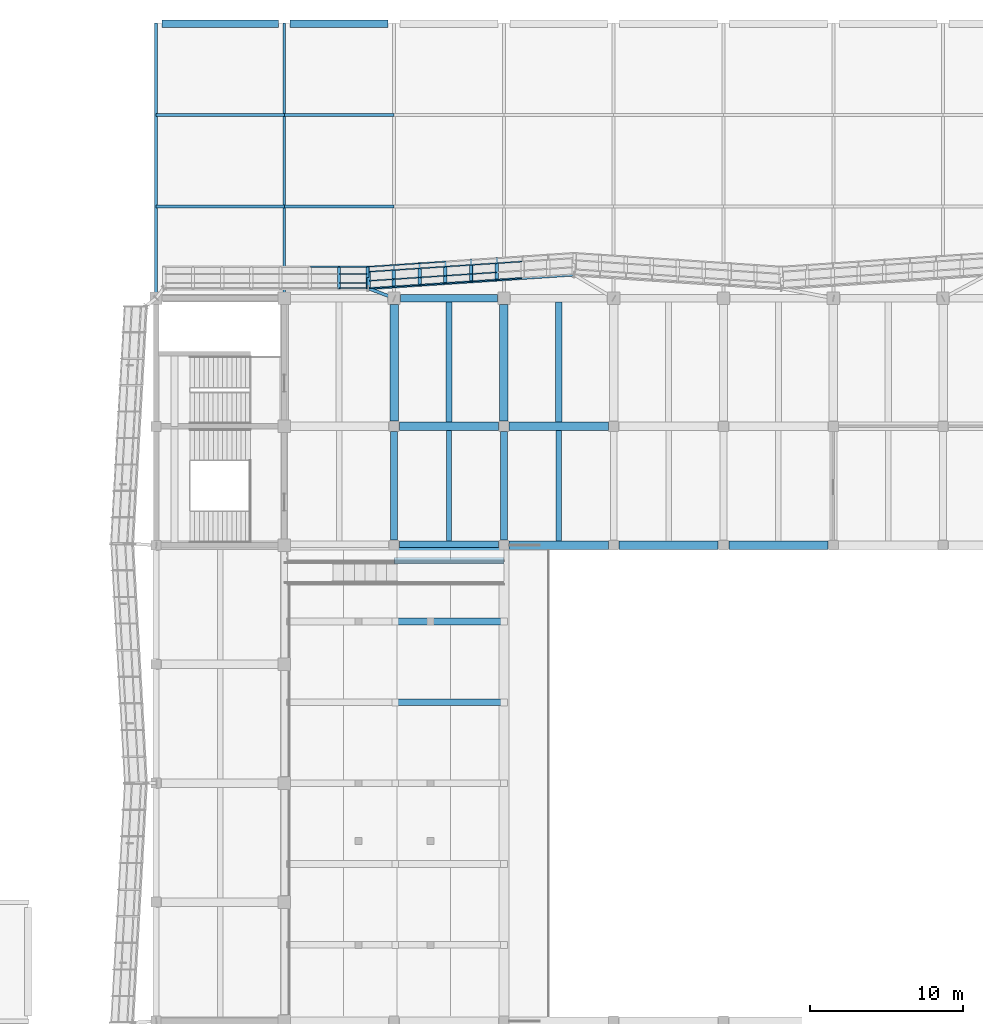
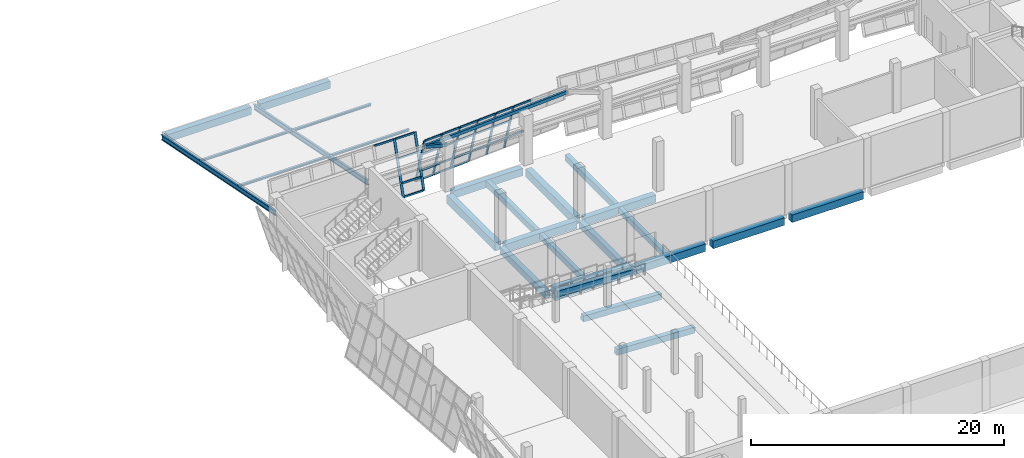
# One storey, part 26 of 79: 37 members, 25 beams, 2 elements without a shape of their own.
"""IFC4 building model written with IfcOpenShell, lengths in metres."""

from ifc_helpers import new_model, si_unit, direction, frame, origin, origin_2d, place, context, subcontext, project, spatial, rectangle, hollow_rectangle, i_section, extrude, material, material_profile, profile_set, type_object, element, aggregate, save


model = new_model("IFC4")

# Units and contexts
model_context = context("Model", 3, precision=1e-05, world=origin(), true_north=direction((0.0, 1.0)))
body_context = subcontext(model_context, "Body", "Model", "MODEL_VIEW")
ifc_project = project(units=[si_unit("LENGTHUNIT", "METRE"), si_unit("AREAUNIT", "SQUARE_METRE"), si_unit("VOLUMEUNIT", "CUBIC_METRE"), si_unit("PLANEANGLEUNIT", "RADIAN"), si_unit("MASSUNIT", "GRAM", prefix="KILO")], contexts=[model_context])

# Site, building, storey
site_placement = place(None, origin())
site = spatial("IfcSite", under=ifc_project, at=site_placement, CompositionType="ELEMENT")
building_placement = place(site_placement, origin())
building = spatial("IfcBuilding", under=site, at=building_placement, Name="Pellamere Symphony Hall", CompositionType="ELEMENT")
storey_placement = place(building_placement, frame((0.0, 0.0, 10.199951171875)))
storey = spatial("IfcBuildingStorey", under=building, at=storey_placement, Name="L02", CompositionType="ELEMENT", Elevation=10.199951171875)

# Curtain wall, members
ifc_material_1 = material(Name="Thermally Broken Anodised Aluminium 6063-T6 Curtain Wall", Category="aluminium")
curtain_wall_type = type_object("IfcCurtainWallType", Name="Curtain Wall CW-01 (Tilted Faceted Crystal Low-Iron Curtain Wall)", PredefinedType="NOTDEFINED", material=ifc_material_1)
curtain_wall_1_placement = place(storey_placement, origin())
curtain_wall_1 = element("IfcCurtainWall", 1, at=curtain_wall_1_placement, inside=storey, type_object=curtain_wall_type, Name="Crystal Faceted Curtain Wall CW-CR13 (L02)", PredefinedType="NOTDEFINED")
ifc_material_2 = material(Name="Anodised Architectural Aluminium 6063-T6", Category="aluminium")
ifc_material_profile_1 = material_profile(ifc_material_2, hollow_rectangle(XDim=0.074951171875, YDim=0.219970703125, WallThickness=0.0048828125, at=origin_2d()), Name="ALU-M75X220X5")
ifc_profile_set_1 = profile_set([ifc_material_profile_1], Name="Anodised Architectural Aluminium 6063-T6")
member_type_1 = type_object("IfcMemberType", Name="Curtain Wall Mullion ML-01 ALU-M75X220X5", PredefinedType="MULLION", material=ifc_profile_set_1)
member_1_placement = place(storey_placement, frame((72.737548828125, 96.234375, 0.0), z_axis=(0.0, -0.284021911736, 0.9588177896), x_axis=(0.066519010519, -0.956694159552, -0.283392848036)))
member_1 = element("IfcMember", 2, at=member_1_placement, type_object=member_type_1, Name="CW1-031 crystal mullion 4", PredefinedType="MULLION", context=body_context, shape_type="SweptSolid", body=[
    extrude(hollow_rectangle(XDim=0.074951171875, YDim=0.219970703125, WallThickness=0.0048828125, at=origin_2d()), origin(), (0.0, 0.0, 1.0), 5.006103515625),
])
member_2_placement = place(storey_placement, frame((71.050048828125, 96.121826171875, 0.0), z_axis=(0.0, -0.284021911736, 0.9588177896), x_axis=(0.066519010519, -0.956694159552, -0.283392848036)))
member_2 = element("IfcMember", 3, at=member_2_placement, type_object=member_type_1, Name="CW1-031 crystal mullion 5", PredefinedType="MULLION", context=body_context, shape_type="SweptSolid", body=[
    extrude(hollow_rectangle(XDim=0.074951171875, YDim=0.219970703125, WallThickness=0.0048828125, at=origin_2d()), origin(), (0.0, 0.0, 1.0), 5.006103515625),
])
member_3_placement = place(storey_placement, frame((69.362548828125, 96.00927734375, 0.0), z_axis=(0.0, -0.284021911736, 0.9588177896), x_axis=(0.066519010519, -0.956694159552, -0.283392848036)))
member_3 = element("IfcMember", 4, at=member_3_placement, type_object=member_type_1, Name="CW1-031 crystal mullion 6", PredefinedType="MULLION", context=body_context, shape_type="SweptSolid", body=[
    extrude(hollow_rectangle(XDim=0.074951171875, YDim=0.219970703125, WallThickness=0.0048828125, at=origin_2d()), origin(), (0.0, 0.0, 1.0), 5.006103515625),
])
member_4_placement = place(storey_placement, frame((67.675048828125, 95.896728515625, 0.0), z_axis=(0.0, -0.283977077304, 0.958831069358), x_axis=(0.066519010519, -0.956707409897, -0.283348112905)))
member_4 = element("IfcMember", 5, at=member_4_placement, type_object=member_type_1, Name="CW1-031 crystal mullion 7", PredefinedType="MULLION", context=body_context, shape_type="SweptSolid", body=[
    extrude(hollow_rectangle(XDim=0.074951171875, YDim=0.219970703125, WallThickness=0.0048828125, at=origin_2d()), origin(), (0.0, 0.0, 1.0), 5.006103515625),
])
member_5_placement = place(storey_placement, frame((65.987548828125, 95.7841796875, 0.0), z_axis=(0.0, -0.283977077304, 0.958831069358), x_axis=(0.066519010519, -0.956707409897, -0.283348112905)))
member_5 = element("IfcMember", 6, at=member_5_placement, type_object=member_type_1, Name="CW1-031 crystal mullion 8", PredefinedType="MULLION", context=body_context, shape_type="SweptSolid", body=[
    extrude(hollow_rectangle(XDim=0.074951171875, YDim=0.219970703125, WallThickness=0.0048828125, at=origin_2d()), origin(), (0.0, 0.0, 1.0), 5.006103515625),
])
member_6_placement = place(storey_placement, frame((64.33740234375, 95.67431640625, 0.0), z_axis=(0.0, -0.284021911736, 0.9588177896), x_axis=(0.066519010519, -0.956694159552, -0.283392848036)))
member_6 = element("IfcMember", 7, at=member_6_placement, type_object=member_type_1, Name="CW1-031 crystal mullion 9", PredefinedType="MULLION", context=body_context, shape_type="SweptSolid", body=[
    extrude(hollow_rectangle(XDim=0.074951171875, YDim=0.219970703125, WallThickness=0.0048828125, at=origin_2d()), origin(), (0.0, 0.0, 1.0), 5.006103515625),
])

curtain_wall_2_placement = place(storey_placement, origin())
curtain_wall_2 = element("IfcCurtainWall", 8, at=curtain_wall_2_placement, inside=storey, type_object=curtain_wall_type, Name="Crystal Faceted Curtain Wall CW-CR14 (L02)", PredefinedType="NOTDEFINED")
member_7_placement = place(storey_placement, frame((64.262451171875, 94.25, 0.0), z_axis=(0.0, 0.284021911736, 0.9588177896), x_axis=(0.0, 0.9588177896, -0.284021911736)))
member_7 = element("IfcMember", 9, at=member_7_placement, type_object=member_type_1, Name="CW1-034 crystal mullion 1", PredefinedType="MULLION", context=body_context, shape_type="SweptSolid", body=[
    extrude(hollow_rectangle(XDim=0.074951171875, YDim=0.219970703125, WallThickness=0.0048828125, at=origin_2d()), origin(), (0.0, 0.0, 1.0), 5.006103515625),
])
member_8_placement = place(storey_placement, frame((62.3857421875, 94.25, 0.0), z_axis=(0.0, 0.284021911736, 0.9588177896), x_axis=(0.0, 0.9588177896, -0.284021911736)))
member_8 = element("IfcMember", 10, at=member_8_placement, type_object=member_type_1, Name="CW1-034 crystal mullion 2", PredefinedType="MULLION", context=body_context, shape_type="SweptSolid", body=[
    extrude(hollow_rectangle(XDim=0.074951171875, YDim=0.219970703125, WallThickness=0.0048828125, at=origin_2d()), origin(), (0.0, 0.0, 1.0), 5.006103515625),
])

# Member
ifc_material_profile_2 = material_profile(ifc_material_2, hollow_rectangle(XDim=0.074951171875, YDim=0.179931640625, WallThickness=0.0048828125, at=origin_2d()), Name="ALU-T75X180X5")
ifc_profile_set_2 = profile_set([ifc_material_profile_2], Name="Anodised Architectural Aluminium 6063-T6")
member_type_2 = type_object("IfcMemberType", Name="Curtain Wall Transom TR-01 ALU-T75X180X5", PredefinedType="USERDEFINED", material=ifc_profile_set_2)
member_9_placement = place(storey_placement, frame((74.3876953125, 96.003173828125, 1.152099609375), z_axis=(-0.997779138857, -0.066609234065, 0.0), x_axis=(0.066609234065, -0.997779138857, 0.0)))
member_9 = element("IfcMember", 11, at=member_9_placement, type_object=member_type_2, Name="CW1-031 crystal transom 3.2", ObjectType="TRANSOM", PredefinedType="USERDEFINED", context=body_context, shape_type="SweptSolid", body=[
    extrude(hollow_rectangle(XDim=0.074951171875, YDim=0.179931640625, WallThickness=0.0048828125, at=origin_2d()), origin(), (0.0, 0.0, 1.0), 1.616455078125),
])

member_10_placement = place(storey_placement, frame((74.3876953125, 94.93310546875, 4.76416015625), z_axis=(-0.997789166031, -0.066458860589, 0.0), x_axis=(0.066458860589, -0.997789166031, 0.0)))
member_10 = element("IfcMember", 12, at=member_10_placement, type_object=member_type_2, Name="CW1-031 crystal transom 3.4", ObjectType="TRANSOM", PredefinedType="USERDEFINED", context=body_context, shape_type="SweptSolid", body=[
    extrude(hollow_rectangle(XDim=0.074951171875, YDim=0.179931640625, WallThickness=0.0048828125, at=origin_2d()), origin(), (0.0, 0.0, 1.0), 1.616455078125),
])

member_11_placement = place(storey_placement, frame((72.7001953125, 95.890625, 1.152099609375), z_axis=(-0.997779138857, -0.066609234065, 0.0), x_axis=(0.066609234065, -0.997779138857, 0.0)))
member_11 = element("IfcMember", 13, at=member_11_placement, type_object=member_type_2, Name="CW1-031 crystal transom 4.2", ObjectType="TRANSOM", PredefinedType="USERDEFINED", context=body_context, shape_type="SweptSolid", body=[
    extrude(hollow_rectangle(XDim=0.074951171875, YDim=0.179931640625, WallThickness=0.0048828125, at=origin_2d()), origin(), (0.0, 0.0, 1.0), 1.616455078125),
])

member_12_placement = place(storey_placement, frame((72.7001953125, 95.29345703125, 3.16796875), z_axis=(-0.997779138857, -0.066609234065, 0.0), x_axis=(0.066609234065, -0.997779138857, 0.0)))
member_12 = element("IfcMember", 14, at=member_12_placement, type_object=member_type_2, Name="CW1-031 crystal transom 4.3", ObjectType="TRANSOM", PredefinedType="USERDEFINED", context=body_context, shape_type="SweptSolid", body=[
    extrude(hollow_rectangle(XDim=0.074951171875, YDim=0.179931640625, WallThickness=0.0048828125, at=origin_2d()), origin(), (0.0, 0.0, 1.0), 1.616455078125),
])

member_13_placement = place(storey_placement, frame((72.7001953125, 94.820556640625, 4.76416015625), z_axis=(-0.997789166031, -0.066458860589, 0.0), x_axis=(0.066458860589, -0.997789166031, 0.0)))
member_13 = element("IfcMember", 15, at=member_13_placement, type_object=member_type_2, Name="CW1-031 crystal transom 4.4", ObjectType="TRANSOM", PredefinedType="USERDEFINED", context=body_context, shape_type="SweptSolid", body=[
    extrude(hollow_rectangle(XDim=0.074951171875, YDim=0.179931640625, WallThickness=0.0048828125, at=origin_2d()), origin(), (0.0, 0.0, 1.0), 1.616455078125),
])

member_14_placement = place(storey_placement, frame((71.0126953125, 95.778076171875, 1.152099609375), z_axis=(-0.997789166031, -0.066458860589, 0.0), x_axis=(0.066458860589, -0.997789166031, 0.0)))
member_14 = element("IfcMember", 16, at=member_14_placement, type_object=member_type_2, Name="CW1-031 crystal transom 5.2", ObjectType="TRANSOM", PredefinedType="USERDEFINED", context=body_context, shape_type="SweptSolid", body=[
    extrude(hollow_rectangle(XDim=0.074951171875, YDim=0.179931640625, WallThickness=0.0048828125, at=origin_2d()), origin(), (0.0, 0.0, 1.0), 1.616455078125),
])

member_15_placement = place(storey_placement, frame((71.0126953125, 95.180908203125, 3.16796875), z_axis=(-0.997789166031, -0.066458860589, 0.0), x_axis=(0.066458860589, -0.997789166031, 0.0)))
member_15 = element("IfcMember", 17, at=member_15_placement, type_object=member_type_2, Name="CW1-031 crystal transom 5.3", ObjectType="TRANSOM", PredefinedType="USERDEFINED", context=body_context, shape_type="SweptSolid", body=[
    extrude(hollow_rectangle(XDim=0.074951171875, YDim=0.179931640625, WallThickness=0.0048828125, at=origin_2d()), origin(), (0.0, 0.0, 1.0), 1.616455078125),
])

member_16_placement = place(storey_placement, frame((71.0126953125, 94.708251953125, 4.76416015625), z_axis=(-0.997779138857, -0.066609234065, 0.0), x_axis=(0.066609234065, -0.997779138857, 0.0)))
member_16 = element("IfcMember", 18, at=member_16_placement, type_object=member_type_2, Name="CW1-031 crystal transom 5.4", ObjectType="TRANSOM", PredefinedType="USERDEFINED", context=body_context, shape_type="SweptSolid", body=[
    extrude(hollow_rectangle(XDim=0.074951171875, YDim=0.179931640625, WallThickness=0.0048828125, at=origin_2d()), origin(), (0.0, 0.0, 1.0), 1.616455078125),
])

member_17_placement = place(storey_placement, frame((69.3251953125, 95.99609375, 0.035888671875), z_axis=(-0.997789166031, -0.066458860589, 0.0), x_axis=(0.066458860589, -0.997789166031, 0.0)))
member_17 = element("IfcMember", 19, at=member_17_placement, type_object=member_type_2, Name="CW1-031 crystal transom 6.1", ObjectType="TRANSOM", PredefinedType="USERDEFINED", context=body_context, shape_type="SweptSolid", body=[
    extrude(hollow_rectangle(XDim=0.074951171875, YDim=0.179931640625, WallThickness=0.0048828125, at=origin_2d()), origin(), (0.0, 0.0, 1.0), 1.616455078125),
])

member_18_placement = place(storey_placement, frame((69.3251953125, 95.66552734375, 1.152099609375), z_axis=(-0.997789166031, -0.066458860589, 0.0), x_axis=(0.066458860589, -0.997789166031, 0.0)))
member_18 = element("IfcMember", 20, at=member_18_placement, type_object=member_type_2, Name="CW1-031 crystal transom 6.2", ObjectType="TRANSOM", PredefinedType="USERDEFINED", context=body_context, shape_type="SweptSolid", body=[
    extrude(hollow_rectangle(XDim=0.074951171875, YDim=0.179931640625, WallThickness=0.0048828125, at=origin_2d()), origin(), (0.0, 0.0, 1.0), 1.616455078125),
])

member_19_placement = place(storey_placement, frame((69.3251953125, 95.068359375, 3.16796875), z_axis=(-0.997789166031, -0.066458860589, 0.0), x_axis=(0.066458860589, -0.997789166031, 0.0)))
member_19 = element("IfcMember", 21, at=member_19_placement, type_object=member_type_2, Name="CW1-031 crystal transom 6.3", ObjectType="TRANSOM", PredefinedType="USERDEFINED", context=body_context, shape_type="SweptSolid", body=[
    extrude(hollow_rectangle(XDim=0.074951171875, YDim=0.179931640625, WallThickness=0.0048828125, at=origin_2d()), origin(), (0.0, 0.0, 1.0), 1.616455078125),
])

member_20_placement = place(storey_placement, frame((69.3251953125, 94.595703125, 4.76416015625), z_axis=(-0.997779138857, -0.066609234065, 0.0), x_axis=(0.066609234065, -0.997779138857, 0.0)))
member_20 = element("IfcMember", 22, at=member_20_placement, type_object=member_type_2, Name="CW1-031 crystal transom 6.4", ObjectType="TRANSOM", PredefinedType="USERDEFINED", context=body_context, shape_type="SweptSolid", body=[
    extrude(hollow_rectangle(XDim=0.074951171875, YDim=0.179931640625, WallThickness=0.0048828125, at=origin_2d()), origin(), (0.0, 0.0, 1.0), 1.616455078125),
])

member_21_placement = place(storey_placement, frame((67.6376953125, 95.883544921875, 0.035888671875), z_axis=(-0.997789166031, -0.066458860589, 0.0), x_axis=(0.066458860589, -0.997789166031, 0.0)))
member_21 = element("IfcMember", 23, at=member_21_placement, type_object=member_type_2, Name="CW1-031 crystal transom 7.1", ObjectType="TRANSOM", PredefinedType="USERDEFINED", context=body_context, shape_type="SweptSolid", body=[
    extrude(hollow_rectangle(XDim=0.074951171875, YDim=0.179931640625, WallThickness=0.0048828125, at=origin_2d()), origin(), (0.0, 0.0, 1.0), 1.616455078125),
])

member_22_placement = place(storey_placement, frame((67.6376953125, 95.552978515625, 1.152099609375), z_axis=(-0.997789166031, -0.066458860589, 0.0), x_axis=(0.066458860589, -0.997789166031, 0.0)))
member_22 = element("IfcMember", 24, at=member_22_placement, type_object=member_type_2, Name="CW1-031 crystal transom 7.2", ObjectType="TRANSOM", PredefinedType="USERDEFINED", context=body_context, shape_type="SweptSolid", body=[
    extrude(hollow_rectangle(XDim=0.074951171875, YDim=0.179931640625, WallThickness=0.0048828125, at=origin_2d()), origin(), (0.0, 0.0, 1.0), 1.616455078125),
])

member_23_placement = place(storey_placement, frame((67.6376953125, 94.955810546875, 3.16796875), z_axis=(-0.997789166031, -0.066458860589, 0.0), x_axis=(0.066458860589, -0.997789166031, 0.0)))
member_23 = element("IfcMember", 25, at=member_23_placement, type_object=member_type_2, Name="CW1-031 crystal transom 7.3", ObjectType="TRANSOM", PredefinedType="USERDEFINED", context=body_context, shape_type="SweptSolid", body=[
    extrude(hollow_rectangle(XDim=0.074951171875, YDim=0.179931640625, WallThickness=0.0048828125, at=origin_2d()), origin(), (0.0, 0.0, 1.0), 1.616455078125),
])

member_24_placement = place(storey_placement, frame((67.6376953125, 94.483154296875, 4.76416015625), z_axis=(-0.997789166031, -0.066458860589, 0.0), x_axis=(0.066458860589, -0.997789166031, 0.0)))
member_24 = element("IfcMember", 26, at=member_24_placement, type_object=member_type_2, Name="CW1-031 crystal transom 7.4", ObjectType="TRANSOM", PredefinedType="USERDEFINED", context=body_context, shape_type="SweptSolid", body=[
    extrude(hollow_rectangle(XDim=0.074951171875, YDim=0.179931640625, WallThickness=0.0048828125, at=origin_2d()), origin(), (0.0, 0.0, 1.0), 1.616455078125),
])

member_25_placement = place(storey_placement, frame((65.9501953125, 95.771240234375, 0.035888671875), z_axis=(-0.99778720991, -0.066488222573, 0.0), x_axis=(0.066488222573, -0.99778720991, 0.0)))
member_25 = element("IfcMember", 27, at=member_25_placement, type_object=member_type_2, Name="CW1-031 crystal transom 8.1", ObjectType="TRANSOM", PredefinedType="USERDEFINED", context=body_context, shape_type="SweptSolid", body=[
    extrude(hollow_rectangle(XDim=0.074951171875, YDim=0.179931640625, WallThickness=0.0048828125, at=origin_2d()), origin(), (0.0, 0.0, 1.0), 1.578857421875),
])

member_26_placement = place(storey_placement, frame((65.9501953125, 95.440673828125, 1.152099609375), z_axis=(-0.997776940229, -0.066642160428, 0.0), x_axis=(0.066642160428, -0.997776940229, 0.0)))
member_26 = element("IfcMember", 28, at=member_26_placement, type_object=member_type_2, Name="CW1-031 crystal transom 8.2", ObjectType="TRANSOM", PredefinedType="USERDEFINED", context=body_context, shape_type="SweptSolid", body=[
    extrude(hollow_rectangle(XDim=0.074951171875, YDim=0.179931640625, WallThickness=0.0048828125, at=origin_2d()), origin(), (0.0, 0.0, 1.0), 1.578857421875),
])

member_27_placement = place(storey_placement, frame((65.9501953125, 94.843505859375, 3.16796875), z_axis=(-0.997776940229, -0.066642160428, 0.0), x_axis=(0.066642160428, -0.997776940229, 0.0)))
member_27 = element("IfcMember", 29, at=member_27_placement, type_object=member_type_2, Name="CW1-031 crystal transom 8.3", ObjectType="TRANSOM", PredefinedType="USERDEFINED", context=body_context, shape_type="SweptSolid", body=[
    extrude(hollow_rectangle(XDim=0.074951171875, YDim=0.179931640625, WallThickness=0.0048828125, at=origin_2d()), origin(), (0.0, 0.0, 1.0), 1.578857421875),
])

member_28_placement = place(storey_placement, frame((65.9501953125, 94.37060546875, 4.76416015625), z_axis=(-0.99778720991, -0.066488222573, 0.0), x_axis=(0.066488222573, -0.99778720991, 0.0)))
member_28 = element("IfcMember", 30, at=member_28_placement, type_object=member_type_2, Name="CW1-031 crystal transom 8.4", ObjectType="TRANSOM", PredefinedType="USERDEFINED", context=body_context, shape_type="SweptSolid", body=[
    extrude(hollow_rectangle(XDim=0.074951171875, YDim=0.179931640625, WallThickness=0.0048828125, at=origin_2d()), origin(), (0.0, 0.0, 1.0), 1.578857421875),
])

aggregate(curtain_wall_1, [member_1, member_2, member_3, member_4, member_5, member_6, member_9, member_10, member_11, member_12, member_13, member_14, member_15, member_16, member_17, member_18, member_19, member_20, member_21, member_22, member_23, member_24, member_25, member_26, member_27, member_28])

member_29_placement = place(storey_placement, frame((64.22509765625, 94.2607421875, 0.035888671875), z_axis=(-1.0, 0.0, 0.0), x_axis=(0.0, -1.0, 0.0)))
member_29 = element("IfcMember", 31, at=member_29_placement, type_object=member_type_2, Name="CW1-034 crystal transom 1.1", ObjectType="TRANSOM", PredefinedType="USERDEFINED", context=body_context, shape_type="SweptSolid", body=[
    extrude(hollow_rectangle(XDim=0.074951171875, YDim=0.179931640625, WallThickness=0.0048828125, at=origin_2d()), origin(), (0.0, 0.0, 1.0), 1.802001953125),
])

member_30_placement = place(storey_placement, frame((64.22509765625, 94.59130859375, 1.152099609375), z_axis=(-1.0, 0.0, 0.0), x_axis=(0.0, -1.0, 0.0)))
member_30 = element("IfcMember", 32, at=member_30_placement, type_object=member_type_2, Name="CW1-034 crystal transom 1.2", ObjectType="TRANSOM", PredefinedType="USERDEFINED", context=body_context, shape_type="SweptSolid", body=[
    extrude(hollow_rectangle(XDim=0.074951171875, YDim=0.179931640625, WallThickness=0.0048828125, at=origin_2d()), origin(), (0.0, 0.0, 1.0), 1.802001953125),
])

member_31_placement = place(storey_placement, frame((64.22509765625, 95.1884765625, 3.16796875), z_axis=(-1.0, 0.0, 0.0), x_axis=(0.0, -1.0, 0.0)))
member_31 = element("IfcMember", 33, at=member_31_placement, type_object=member_type_2, Name="CW1-034 crystal transom 1.3", ObjectType="TRANSOM", PredefinedType="USERDEFINED", context=body_context, shape_type="SweptSolid", body=[
    extrude(hollow_rectangle(XDim=0.074951171875, YDim=0.179931640625, WallThickness=0.0048828125, at=origin_2d()), origin(), (0.0, 0.0, 1.0), 1.802001953125),
])

member_32_placement = place(storey_placement, frame((64.22509765625, 95.6611328125, 4.76416015625), z_axis=(-1.0, 0.0, 0.0), x_axis=(0.0, -1.0, 0.0)))
member_32 = element("IfcMember", 34, at=member_32_placement, type_object=member_type_2, Name="CW1-034 crystal transom 1.4", ObjectType="TRANSOM", PredefinedType="USERDEFINED", context=body_context, shape_type="SweptSolid", body=[
    extrude(hollow_rectangle(XDim=0.074951171875, YDim=0.179931640625, WallThickness=0.0048828125, at=origin_2d()), origin(), (0.0, 0.0, 1.0), 1.802001953125),
])

member_33_placement = place(storey_placement, frame((62.34814453125, 95.6611328125, 4.76416015625), z_axis=(-1.0, 0.0, 0.0), x_axis=(0.0, -1.0, 0.0)))
member_33 = element("IfcMember", 35, at=member_33_placement, type_object=member_type_2, Name="CW1-034 crystal transom 2.4", ObjectType="TRANSOM", PredefinedType="USERDEFINED", context=body_context, shape_type="SweptSolid", body=[
    extrude(hollow_rectangle(XDim=0.074951171875, YDim=0.179931640625, WallThickness=0.0048828125, at=origin_2d()), origin(), (0.0, 0.0, 1.0), 1.839111328125),
])

aggregate(curtain_wall_2, [member_7, member_8, member_29, member_30, member_31, member_32, member_33])

# Beams
ifc_material_3 = material(Name="Concrete 40 MPa", Category="concrete")
ifc_material_profile_3 = material_profile(ifc_material_3, rectangle(XDim=0.550048828125, YDim=0.800048828125, at=origin_2d()), Name="RC 550x800")
ifc_profile_set_3 = profile_set([ifc_material_profile_3], Name="Concrete 40 MPa")
beam_type_1 = type_object("IfcBeamType", Name="RC CB-05 550x800", PredefinedType="BEAM", material=ifc_profile_set_3)
for number, where, z_axis, x_axis, name in (
    (36, (66.0, 85.550048828125, -0.679931640625), (0.0, 1.0, 0.0), (-1.0, 0.0, 0.0), "Girder CB-05-Y1277 (L02)"),
    (37, (73.199951171875, 85.550048828125, -0.679931640625), (0.0, 1.0, 0.0), (-1.0, 0.0, 0.0), "Girder CB-05-Y1283 (L02)"),
):
    element("IfcBeam", number, at=place(storey_placement, frame(where, z_axis=z_axis, x_axis=x_axis)), inside=storey, type_object=beam_type_1, Name=name, PredefinedType="BEAM", context=body_context, shape_type="SweptSolid", body=[
        extrude(rectangle(XDim=0.550048828125, YDim=0.800048828125, at=origin_2d()), origin(), (0.0, 0.0, 1.0), 7.625),
    ])
ifc_material_profile_4 = material_profile(ifc_material_3, rectangle(XDim=0.449951171875, YDim=0.64990234375, at=origin_2d()), Name="RC 450x650")
ifc_profile_set_4 = profile_set([ifc_material_profile_4], Name="Concrete 40 MPa")
beam_type_2 = type_object("IfcBeamType", Name="RC CB-08 450x650", PredefinedType="BEAM", material=ifc_profile_set_4)
for number, where, z_axis, x_axis, name in (
    (38, (66.0, 77.75, -0.60498046875), (0.0, 1.0, 0.0), (-1.0, 0.0, 0.0), "Girder CB-08-Y1276 (L02)"),
    (39, (73.199951171875, 77.75, -0.60498046875), (0.0, 1.0, 0.0), (-1.0, 0.0, 0.0), "Girder CB-08-Y1282 (L02)"),
):
    element("IfcBeam", number, at=place(storey_placement, frame(where, z_axis=z_axis, x_axis=x_axis)), inside=storey, type_object=beam_type_2, Name=name, PredefinedType="BEAM", context=body_context, shape_type="SweptSolid", body=[
        extrude(rectangle(XDim=0.449951171875, YDim=0.64990234375, at=origin_2d()), origin(), (0.0, 0.0, 1.0), 7.10009765625),
    ])
ifc_material_profile_5 = material_profile(ifc_material_3, rectangle(XDim=0.39990234375, YDim=0.60009765625, at=origin_2d()), Name="RC 400x600")
ifc_profile_set_5 = profile_set([ifc_material_profile_5], Name="Concrete 40 MPa")
beam_type_3 = type_object("IfcBeamType", Name="RC CB-09 400x600", PredefinedType="BEAM", material=ifc_profile_set_5)
for number, where, z_axis, x_axis, name in (
    (40, (69.60009765625, 85.469970703125, -0.594970703125), (0.0, 1.0, 0.0), (-1.0, 0.0, 0.0), "Secondary Floor Beam CB-09-M0811 (L02)"),
    (41, (76.800048828125, 85.469970703125, -0.594970703125), (0.0, 1.0, 0.0), (-1.0, 0.0, 0.0), "Secondary Floor Beam CB-09-M0911 (L02)"),
):
    element("IfcBeam", number, at=place(storey_placement, frame(where, z_axis=z_axis, x_axis=x_axis)), inside=storey, type_object=beam_type_3, Name=name, PredefinedType="BEAM", context=body_context, shape_type="SweptSolid", body=[
        extrude(rectangle(XDim=0.39990234375, YDim=0.60009765625, at=origin_2d()), origin(), (0.0, 0.0, 1.0), 7.89013671875),
    ])
ifc_material_4 = material(Name="Concrete 35 MPa", Category="concrete")
ifc_material_profile_6 = material_profile(ifc_material_4, rectangle(XDim=0.35009765625, YDim=0.550048828125, at=origin_2d()), Name="RC 350x550")
ifc_profile_set_6 = profile_set([ifc_material_profile_6], Name="Concrete 35 MPa")
beam_type_4 = type_object("IfcBeamType", Name="RC CB-10 350x550", PredefinedType="BEAM", material=ifc_profile_set_6)
for number, where, z_axis, x_axis, name in (
    (42, (69.60009765625, 77.669921875, -0.570068359375), (0.0, 1.0, 0.0), (-1.0, 0.0, 0.0), "Secondary Floor Beam CB-10-M0810 (L02)"),
    (43, (76.800048828125, 77.669921875, -0.570068359375), (0.0, 1.0, 0.0), (-1.0, 0.0, 0.0), "Secondary Floor Beam CB-10-M0910 (L02)"),
):
    element("IfcBeam", number, at=place(storey_placement, frame(where, z_axis=z_axis, x_axis=x_axis)), inside=storey, type_object=beam_type_4, Name=name, PredefinedType="BEAM", context=body_context, shape_type="SweptSolid", body=[
        extrude(rectangle(XDim=0.35009765625, YDim=0.550048828125, at=origin_2d()), origin(), (0.0, 0.0, 1.0), 7.260009765625),
    ])
ifc_material_profile_7 = material_profile(ifc_material_3, rectangle(XDim=0.47998046875, YDim=0.719970703125, at=origin_2d()), Name="RC 480x720")
ifc_profile_set_7 = profile_set([ifc_material_profile_7], Name="Concrete 40 MPa")
beam_type_5 = type_object("IfcBeamType", Name="RC CB-14 480x720", PredefinedType="SPANDREL", material=ifc_profile_set_7)
beam_1_placement = place(storey_placement, frame((66.425048828125, 93.60009765625, -0.639892578125), z_axis=(1.0, 0.0, 0.0), x_axis=(0.0, 1.0, 0.0)))
element("IfcBeam", 44, at=beam_1_placement, inside=storey, type_object=beam_type_5, Name="Girder CB-14-X1179 (L02)", PredefinedType="SPANDREL", context=body_context, shape_type="SweptSolid", body=[
    extrude(rectangle(XDim=0.47998046875, YDim=0.719970703125, at=origin_2d()), origin(), (0.0, 0.0, 1.0), 6.349853515625),
])
beam_2_placement = place(storey_placement, frame((50.7900390625, 111.60009765625, -0.639892578125), z_axis=(1.0, 0.0, 0.0), x_axis=(0.0, 1.0, 0.0)))
element("IfcBeam", 45, at=beam_2_placement, inside=storey, type_object=beam_type_5, Name="Girder CB-14-X1204 (L02)", PredefinedType="SPANDREL", context=body_context, shape_type="SweptSolid", body=[
    extrude(rectangle(XDim=0.47998046875, YDim=0.719970703125, at=origin_2d()), origin(), (0.0, 0.0, 1.0), 7.619873046875),
])
beam_3_placement = place(storey_placement, frame((59.18994140625, 111.60009765625, -0.639892578125), z_axis=(1.0, 0.0, 0.0), x_axis=(0.0, 1.0, 0.0)))
element("IfcBeam", 46, at=beam_3_placement, inside=storey, type_object=beam_type_5, Name="Girder CB-14-X1205 (L02)", PredefinedType="SPANDREL", context=body_context, shape_type="SweptSolid", body=[
    extrude(rectangle(XDim=0.47998046875, YDim=0.719970703125, at=origin_2d()), origin(), (0.0, 0.0, 1.0), 6.420166015625),
])
ifc_material_profile_8 = material_profile(ifc_material_3, rectangle(XDim=0.43994140625, YDim=0.580078125, at=origin_2d()), Name="RC 440x580")
ifc_profile_set_8 = profile_set([ifc_material_profile_8], Name="Concrete 40 MPa")
beam_type_6 = type_object("IfcBeamType", Name="RC CB-20 440x580", PredefinedType="BEAM", material=ifc_profile_set_8)
for number, where, z_axis, x_axis, name in (
    (47, (73.199951171875, 67.10009765625, 0.030029296875), (-0.998928640095, 0.0, 0.046277121759), (0.0, -1.0, 0.0), "Stand Upper Circle Raker Beam CB-20-044"),
    (48, (73.199951171875, 72.39990234375, 0.030029296875), (-0.998928640095, 0.0, 0.046277121759), (0.0, -1.0, 0.0), "Stand Upper Circle Raker Beam CB-20-046"),
):
    element("IfcBeam", number, at=place(storey_placement, frame(where, z_axis=z_axis, x_axis=x_axis)), inside=storey, type_object=beam_type_6, Name=name, PredefinedType="BEAM", context=body_context, shape_type="SweptSolid", body=[
        extrude(rectangle(XDim=0.43994140625, YDim=0.580078125, at=origin_2d()), origin(), (0.0, 0.0, 1.0), 7.132568359375),
    ])
for number, where, z_axis, x_axis, name in (
    (49, (73.199951171875, 76.3798828125, 0.030029296875), (-0.998928988173, 0.0, 0.046269607604), (0.0, -1.0, 0.0), "Stand Upper Circle Raker Beam CB-20-048"),
    (50, (73.199951171875, 77.02001953125, 0.030029296875), (-0.998928988173, 0.0, 0.046269607604), (0.0, -1.0, 0.0), "Stand Upper Circle Raker Beam CB-20-050"),
):
    element("IfcBeam", number, at=place(storey_placement, frame(where, z_axis=z_axis, x_axis=x_axis)), inside=storey, type_object=beam_type_6, Name=name, PredefinedType="BEAM", context=body_context, shape_type="SweptSolid", body=[
        extrude(rectangle(XDim=0.43994140625, YDim=0.580078125, at=origin_2d()), origin(), (0.0, 0.0, 1.0), 7.207763671875),
    ])
ifc_material_profile_9 = material_profile(ifc_material_3, rectangle(XDim=0.5400390625, YDim=0.719970703125, at=origin_2d()), Name="RC 540x720")
ifc_profile_set_9 = profile_set([ifc_material_profile_9], Name="Concrete 40 MPa")
beam_type_7 = type_object("IfcBeamType", Name="RC CB-24 540x720", PredefinedType="BEAM", material=ifc_profile_set_9)
for number, where, z_axis, x_axis, name in (
    (51, (66.35009765625, 77.39990234375, -0.639892578125), (1.0, 0.0, 0.0), (0.0, 1.0, 0.0), "Girder CB-24-X1156 (L02)"),
    (52, (73.550048828125, 77.39990234375, -0.639892578125), (1.0, 0.0, 0.0), (0.0, 1.0, 0.0), "Girder CB-24-X1157 (L02)"),
    (53, (80.75, 77.39990234375, -0.639892578125), (1.0, 0.0, 0.0), (0.0, 1.0, 0.0), "Girder CB-24-X1158 (L02)"),
    (54, (87.949951171875, 77.39990234375, -0.639892578125), (1.0, 0.0, 0.0), (0.0, 1.0, 0.0), "Girder CB-24-X1159 (L02)"),
    (55, (66.35009765625, 85.199951171875, -0.639892578125), (1.0, 0.0, 0.0), (0.0, 1.0, 0.0), "Girder CB-24-X1167 (L02)"),
    (56, (73.550048828125, 85.199951171875, -0.639892578125), (1.0, 0.0, 0.0), (0.0, 1.0, 0.0), "Girder CB-24-X1168 (L02)"),
):
    element("IfcBeam", number, at=place(storey_placement, frame(where, z_axis=z_axis, x_axis=x_axis)), inside=storey, type_object=beam_type_7, Name=name, PredefinedType="BEAM", context=body_context, shape_type="SweptSolid", body=[
        extrude(rectangle(XDim=0.5400390625, YDim=0.719970703125, at=origin_2d()), origin(), (0.0, 0.0, 1.0), 6.5),
    ])
ifc_material_5 = material(Name="Steel CSA G40.21 350W", Category="steel")
ifc_material_profile_10 = material_profile(ifc_material_5, i_section(OverallWidth=0.194091796875, OverallDepth=0.468994140625, WebThickness=0.011474609375, FlangeThickness=0.019287109375, at=origin_2d()), Name="W460X106")
ifc_profile_set_10 = profile_set([ifc_material_profile_10], Name="Steel CSA G40.21 350W")
beam_type_8 = type_object("IfcBeamType", Name="Steel Beam SB-16 W460X106", PredefinedType="BEAM", material=ifc_profile_set_10)
for number, where, z_axis, x_axis, name in (
    (57, (50.39990234375, 93.60009765625, 3.10009765625), (0.0, 0.980788871826, -0.195072265848), (-1.0, 0.0, 0.0), "Rehearsal Roof Steel Rafter 01"),
    (58, (58.800048828125, 93.60009765625, 3.10009765625), (0.0, 0.980788871826, -0.195072265848), (-1.0, 0.0, 0.0), "Rehearsal Roof Steel Rafter 02"),
):
    element("IfcBeam", number, at=place(storey_placement, frame(where, z_axis=z_axis, x_axis=x_axis)), inside=storey, type_object=beam_type_8, Name=name, PredefinedType="BEAM", context=body_context, shape_type="SweptSolid", body=[
        extrude(i_section(OverallWidth=0.194091796875, OverallDepth=0.468994140625, WebThickness=0.011474609375, FlangeThickness=0.019287109375, at=origin_2d()), origin(), (0.0, 0.0, 1.0), 18.3525390625),
    ])

# Members
ifc_material_profile_11 = material_profile(ifc_material_5, i_section(OverallWidth=0.2041015625, OverallDepth=0.2060546875, WebThickness=0.0078125, FlangeThickness=0.0126953125, at=origin_2d()), Name="W200X52")
ifc_profile_set_11 = profile_set([ifc_material_profile_11], Name="Steel CSA G40.21 350W")
member_type_3 = type_object("IfcMemberType", Name="Steel Member SM-15 W200X52", PredefinedType="PURLIN", material=ifc_profile_set_11)
for number, where, z_axis, x_axis, name in (
    (59, (50.39990234375, 99.60009765625, 2.0400390625), (1.0, 0.0, 0.0), (0.0, 1.0, 0.0), "Rehearsal Roof Steel Purlin 1.99"),
    (60, (50.39990234375, 105.60009765625, 0.840087890625), (1.0, 0.0, 0.0), (0.0, 1.0, 0.0), "Rehearsal Roof Steel Purlin 1.105"),
):
    element("IfcMember", number, at=place(storey_placement, frame(where, z_axis=z_axis, x_axis=x_axis)), inside=storey, type_object=member_type_3, Name=name, PredefinedType="PURLIN", context=body_context, shape_type="SweptSolid", body=[
        extrude(i_section(OverallWidth=0.2041015625, OverallDepth=0.2060546875, WebThickness=0.0078125, FlangeThickness=0.0126953125, at=origin_2d()), origin(), (0.0, 0.0, 1.0), 8.400146484375),
    ])
for number, where, z_axis, x_axis, name in (
    (61, (58.800048828125, 99.60009765625, 2.0400390625), (1.0, 0.0, 0.0), (0.0, 1.0, 0.0), "Rehearsal Roof Steel Purlin 2.99"),
    (62, (58.800048828125, 105.60009765625, 0.840087890625), (1.0, 0.0, 0.0), (0.0, 1.0, 0.0), "Rehearsal Roof Steel Purlin 2.105"),
):
    element("IfcMember", number, at=place(storey_placement, frame(where, z_axis=z_axis, x_axis=x_axis)), inside=storey, type_object=member_type_3, Name=name, PredefinedType="PURLIN", context=body_context, shape_type="SweptSolid", body=[
        extrude(i_section(OverallWidth=0.2041015625, OverallDepth=0.2060546875, WebThickness=0.0078125, FlangeThickness=0.0126953125, at=origin_2d()), origin(), (0.0, 0.0, 1.0), 7.199951171875),
    ])

# Beams
ifc_material_profile_12 = material_profile(ifc_material_5, hollow_rectangle(XDim=0.203125, YDim=0.3046875, WallThickness=0.0126953125, at=origin_2d()), Name="HSS305X203X13")
ifc_profile_set_12 = profile_set([ifc_material_profile_12], Name="Steel CSA G40.21 350W")
beam_type_9 = type_object("IfcBeamType", Name="Steel Spandrel SB-26 HSS305X203X13", PredefinedType="SPANDREL", material=ifc_profile_set_12)
beam_4_placement = place(storey_placement, frame((77.800048828125, 95.14990234375, 4.239990234375), z_axis=(-0.997785636887, -0.066511824681, 0.0), x_axis=(0.066511824681, -0.997785636887, 0.0)))
element("IfcBeam", 63, at=beam_4_placement, inside=storey, type_object=beam_type_9, Name="Crystal Perimeter Ring Beam CW-CR13 (L02)", PredefinedType="SPANDREL", context=body_context, shape_type="SweptSolid", body=[
    extrude(hollow_rectangle(XDim=0.203125, YDim=0.3046875, WallThickness=0.0126953125, at=origin_2d()), origin(), (0.0, 0.0, 1.0), 13.530029296875),
])
beam_5_placement = place(storey_placement, frame((66.0, 93.60009765625, 4.239990234375), z_axis=(-0.934066311847, 0.357099601054, 0.0), x_axis=(-0.357099601054, -0.934066311847, 0.0)))
element("IfcBeam", 64, at=beam_5_placement, inside=storey, type_object=beam_type_9, Name="Crystal Ring Outrigger Bracket 070 (L02)", PredefinedType="SPANDREL", context=body_context, shape_type="SweptSolid", body=[
    extrude(hollow_rectangle(XDim=0.203125, YDim=0.3046875, WallThickness=0.0126953125, at=origin_2d()), origin(), (0.0, 0.0, 1.0), 1.820068359375),
])

save(model, "model.ifc")
